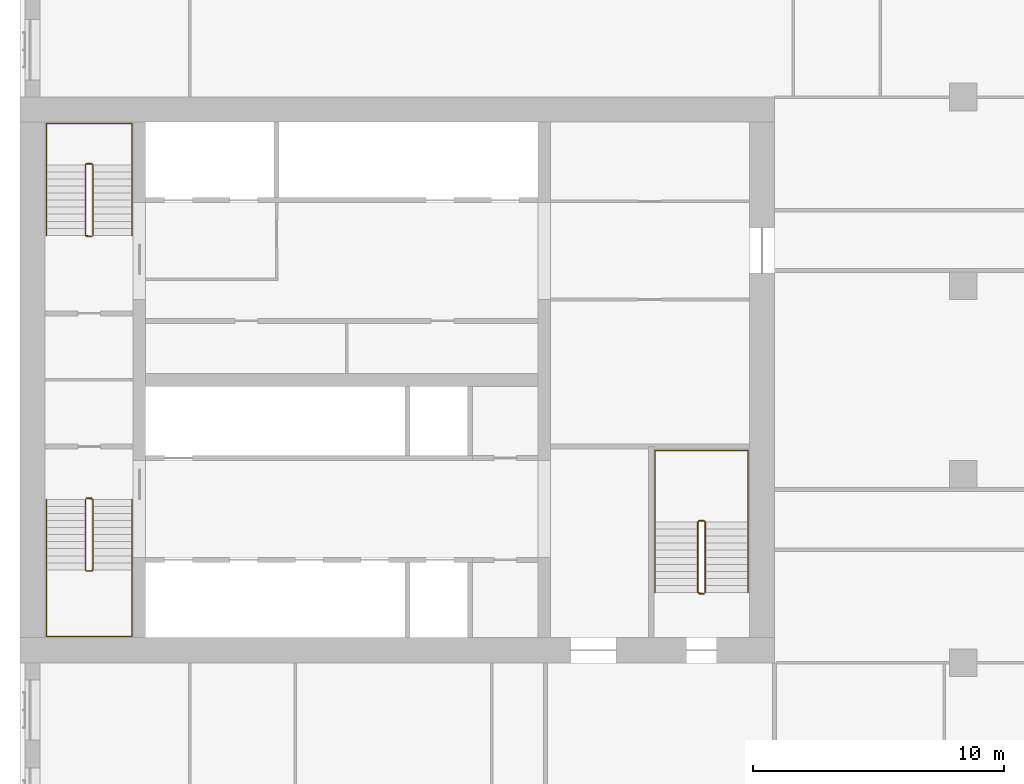
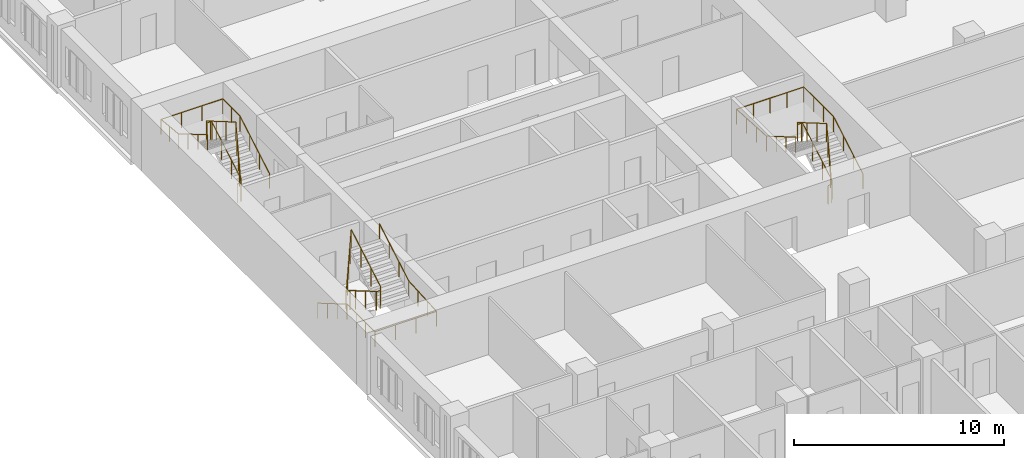
# One storey, part 14 of 14: 6 railings.
"""IFC4 building model written with IfcOpenShell, lengths in metres."""

from ifc_helpers import new_model, si_unit, direction, frame, origin, origin_2d, place, context, subcontext, project, spatial, circle, extrude, material, type_object, element, save


model = new_model("IFC4")

# Units and contexts
model_context = context("Model", 3, precision=1e-05, world=origin(), true_north=direction((0.0, 1.0)))
body_context = subcontext(model_context, "Body", "Model", "MODEL_VIEW")
ifc_project = project(units=[si_unit("LENGTHUNIT", "METRE"), si_unit("AREAUNIT", "SQUARE_METRE"), si_unit("VOLUMEUNIT", "CUBIC_METRE"), si_unit("PLANEANGLEUNIT", "RADIAN"), si_unit("MASSUNIT", "GRAM", prefix="KILO")], contexts=[model_context])

# Site, building, storey
site_placement = place(None, origin())
site = spatial("IfcSite", under=ifc_project, at=site_placement, CompositionType="ELEMENT")
building_placement = place(site_placement, origin())
building = spatial("IfcBuilding", under=site, at=building_placement, Name="Tamorin Gate", CompositionType="ELEMENT")
storey_placement = place(building_placement, frame((0.0, 0.0, 89.89990234375)))
storey = spatial("IfcBuildingStorey", under=building, at=storey_placement, Name="L21", CompositionType="ELEMENT", Elevation=89.89990234375)

# Railings
ifc_material_1 = material(Name="Painted steel balustrade", Category="steel")
railing_type_1 = type_object("IfcRailingType", Name="Stair guard 1100", PredefinedType="GUARDRAIL", material=ifc_material_1)
railing_1_placement = place(storey_placement, frame((32.60009765625, 66.5, 0.163818359375)))
element("IfcRailing", 1, at=railing_1_placement, inside=storey, type_object=railing_type_1, Name="L21 ST1 stair guard 1", PredefinedType="GUARDRAIL", context=body_context, shape_type="SweptSolid", body=[
    extrude(circle(Radius=0.02392578125, at=origin_2d()), frame((0.0, 0.0, 1.076171875), z_axis=(0.0, -0.863393664356, 0.504530851732), x_axis=(1.0, 0.0, 0.0)), (0.0, 0.0, 1.0), 3.2431640625),
    extrude(circle(Radius=0.02392578125, at=origin_2d()), frame((0.0, -2.800048828125, 2.71240234375), z_axis=(0.705375805398, -0.708833529934, 0.0), x_axis=(0.708833529934, 0.705375805398, 0.0)), (0.0, 0.0, 1.0), 0.070556640625),
    extrude(circle(Radius=0.02392578125, at=origin_2d()), frame((0.0498046875, -2.85009765625, 2.71240234375), z_axis=(1.0, 0.0, 0.0), x_axis=(0.0, 1.0, 0.0)), (0.0, 0.0, 1.0), 0.2001953125),
    extrude(circle(Radius=0.02392578125, at=origin_2d()), frame((0.25, -2.85009765625, 2.71240234375), z_axis=(0.279546231943, 0.280916556609, 0.91811752648), x_axis=(-0.708833529934, 0.705375805398, 0.0)), (0.0, 0.0, 1.0), 0.17822265625),
    extrude(circle(Radius=0.02392578125, at=origin_2d()), frame((0.2998046875, -2.800048828125, 2.8759765625), z_axis=(0.0, 0.863360870873, 0.504586966384), x_axis=(-1.0, 0.0, 0.0)), (0.0, 0.0, 1.0), 3.2431640625),
    extrude(circle(Radius=0.02392578125, at=origin_2d()), frame((0.2998046875, 0.0, 4.51220703125), z_axis=(-0.069269067181, 0.013867342551, -0.997501625634), x_axis=(-0.196300278283, -0.98054382908, 0.0)), (0.0, 0.0, 1.0), 3.609130859375),
    extrude(circle(Radius=0.02392578125, at=origin_2d()), frame((0.0498046875, 0.050048828125, 0.912109375), z_axis=(1.0, 0.0, 0.0), x_axis=(0.0, 1.0, 0.0)), (0.0, 0.0, 1.0), 0.2001953125),
    extrude(circle(Radius=0.02099609375, at=origin_2d()), origin(), (0.0, 0.0, 1.0), 1.052001953125),
    extrude(circle(Radius=0.02099609375, at=origin_2d()), frame((0.0, -0.933349609375, 0.54541015625)), (0.0, 0.0, 1.0), 1.052001953125),
    extrude(circle(Radius=0.02099609375, at=origin_2d()), frame((0.0, -1.86669921875, 1.0908203125)), (0.0, 0.0, 1.0), 1.052001953125),
    extrude(circle(Radius=0.02099609375, at=origin_2d()), frame((0.0, -2.800048828125, 1.63623046875)), (0.0, 0.0, 1.0), 1.052001953125),
    extrude(circle(Radius=0.02099609375, at=origin_2d()), frame((0.0498046875, -2.85009765625, 1.63623046875)), (0.0, 0.0, 1.0), 1.052001953125),
    extrude(circle(Radius=0.02099609375, at=origin_2d()), frame((0.25, -2.85009765625, 1.63623046875)), (0.0, 0.0, 1.0), 1.052001953125),
    extrude(circle(Radius=0.02099609375, at=origin_2d()), frame((0.2998046875, -2.800048828125, 1.7998046875)), (0.0, 0.0, 1.0), 1.052001953125),
    extrude(circle(Radius=0.02099609375, at=origin_2d()), frame((0.2998046875, -1.86669921875, 2.34521484375)), (0.0, 0.0, 1.0), 1.052001953125),
    extrude(circle(Radius=0.02099609375, at=origin_2d()), frame((0.2998046875, -0.933349609375, 2.890869140625)), (0.0, 0.0, 1.0), 1.052001953125),
    extrude(circle(Radius=0.02099609375, at=origin_2d()), frame((0.2998046875, 0.0, 3.436279296875)), (0.0, 0.0, 1.0), 1.052001953125),
    extrude(circle(Radius=0.02099609375, at=origin_2d()), frame((0.2373046875, 0.012451171875, 2.5361328125)), (0.0, 0.0, 1.0), 1.052001953125),
    extrude(circle(Radius=0.02099609375, at=origin_2d()), frame((0.1748046875, 0.02490234375, 1.63623046875)), (0.0, 0.0, 1.0), 1.052001953125),
    extrude(circle(Radius=0.02099609375, at=origin_2d()), frame((0.1123046875, 0.03759765625, 0.736328125)), (0.0, 0.0, 1.0), 1.052001953125),
    extrude(circle(Radius=0.02099609375, at=origin_2d()), frame((0.0498046875, 0.050048828125, -0.163818359375)), (0.0, 0.0, 1.0), 1.052001953125),
    extrude(circle(Radius=0.02099609375, at=origin_2d()), frame((0.25, 0.050048828125, -0.163818359375)), (0.0, 0.0, 1.0), 1.052001953125),
])
railing_2_placement = place(storey_placement, frame((32.89990234375, 77.0, 0.163818359375)))
element("IfcRailing", 2, at=railing_2_placement, inside=storey, type_object=railing_type_1, Name="L21 ST2 stair guard 1", PredefinedType="GUARDRAIL", context=body_context, shape_type="SweptSolid", body=[
    extrude(circle(Radius=0.02392578125, at=origin_2d()), frame((0.0, 0.0, 1.076171875), z_axis=(0.0, 0.863393664356, 0.504530851732), x_axis=(-1.0, 0.0, 0.0)), (0.0, 0.0, 1.0), 3.2431640625),
    extrude(circle(Radius=0.02392578125, at=origin_2d()), frame((0.0, 2.800048828125, 2.71240234375), z_axis=(-0.705375805398, 0.708833529934, 0.0), x_axis=(-0.708833529934, -0.705375805398, 0.0)), (0.0, 0.0, 1.0), 0.070556640625),
    extrude(circle(Radius=0.02392578125, at=origin_2d()), frame((-0.0498046875, 2.85009765625, 2.71240234375), z_axis=(-1.0, 0.0, 0.0), x_axis=(0.0, -1.0, 0.0)), (0.0, 0.0, 1.0), 0.2001953125),
    extrude(circle(Radius=0.02392578125, at=origin_2d()), frame((-0.25, 2.85009765625, 2.71240234375), z_axis=(-0.279546231943, -0.280916556609, 0.91811752648), x_axis=(0.708833529934, -0.705375805398, 0.0)), (0.0, 0.0, 1.0), 0.17822265625),
    extrude(circle(Radius=0.02392578125, at=origin_2d()), frame((-0.2998046875, 2.800048828125, 2.8759765625), z_axis=(0.0, -0.863360870873, 0.504586966384), x_axis=(1.0, 0.0, 0.0)), (0.0, 0.0, 1.0), 3.2431640625),
    extrude(circle(Radius=0.02392578125, at=origin_2d()), frame((-0.2998046875, 0.0, 4.51220703125), z_axis=(0.069269067181, -0.013867342551, -0.997501625634), x_axis=(0.196300278283, 0.98054382908, 0.0)), (0.0, 0.0, 1.0), 3.609130859375),
    extrude(circle(Radius=0.02392578125, at=origin_2d()), frame((-0.0498046875, -0.050048828125, 0.912109375), z_axis=(-1.0, 0.0, 0.0), x_axis=(0.0, -1.0, 0.0)), (0.0, 0.0, 1.0), 0.2001953125),
    extrude(circle(Radius=0.02099609375, at=origin_2d()), origin(), (0.0, 0.0, 1.0), 1.052001953125),
    extrude(circle(Radius=0.02099609375, at=origin_2d()), frame((0.0, 0.933349609375, 0.54541015625)), (0.0, 0.0, 1.0), 1.052001953125),
    extrude(circle(Radius=0.02099609375, at=origin_2d()), frame((0.0, 1.86669921875, 1.0908203125)), (0.0, 0.0, 1.0), 1.052001953125),
    extrude(circle(Radius=0.02099609375, at=origin_2d()), frame((0.0, 2.800048828125, 1.63623046875)), (0.0, 0.0, 1.0), 1.052001953125),
    extrude(circle(Radius=0.02099609375, at=origin_2d()), frame((-0.0498046875, 2.85009765625, 1.63623046875)), (0.0, 0.0, 1.0), 1.052001953125),
    extrude(circle(Radius=0.02099609375, at=origin_2d()), frame((-0.25, 2.85009765625, 1.63623046875)), (0.0, 0.0, 1.0), 1.052001953125),
    extrude(circle(Radius=0.02099609375, at=origin_2d()), frame((-0.2998046875, 2.800048828125, 1.7998046875)), (0.0, 0.0, 1.0), 1.052001953125),
    extrude(circle(Radius=0.02099609375, at=origin_2d()), frame((-0.2998046875, 1.86669921875, 2.34521484375)), (0.0, 0.0, 1.0), 1.052001953125),
    extrude(circle(Radius=0.02099609375, at=origin_2d()), frame((-0.2998046875, 0.933349609375, 2.890869140625)), (0.0, 0.0, 1.0), 1.052001953125),
    extrude(circle(Radius=0.02099609375, at=origin_2d()), frame((-0.2998046875, 0.0, 3.436279296875)), (0.0, 0.0, 1.0), 1.052001953125),
    extrude(circle(Radius=0.02099609375, at=origin_2d()), frame((-0.2373046875, -0.012451171875, 2.5361328125)), (0.0, 0.0, 1.0), 1.052001953125),
    extrude(circle(Radius=0.02099609375, at=origin_2d()), frame((-0.1748046875, -0.02490234375, 1.63623046875)), (0.0, 0.0, 1.0), 1.052001953125),
    extrude(circle(Radius=0.02099609375, at=origin_2d()), frame((-0.1123046875, -0.03759765625, 0.736328125)), (0.0, 0.0, 1.0), 1.052001953125),
    extrude(circle(Radius=0.02099609375, at=origin_2d()), frame((-0.0498046875, -0.050048828125, -0.163818359375)), (0.0, 0.0, 1.0), 1.052001953125),
    extrude(circle(Radius=0.02099609375, at=origin_2d()), frame((-0.25, -0.050048828125, -0.163818359375)), (0.0, 0.0, 1.0), 1.052001953125),
])
railing_3_placement = place(storey_placement, frame((57.25, 62.800048828125, 0.163818359375)))
element("IfcRailing", 3, at=railing_3_placement, inside=storey, type_object=railing_type_1, Name="L21 ST3 stair guard 1", PredefinedType="GUARDRAIL", context=body_context, shape_type="SweptSolid", body=[
    extrude(circle(Radius=0.02392578125, at=origin_2d()), frame((0.0, 0.0, 1.076171875), z_axis=(0.0, 0.863393664356, 0.504530851732), x_axis=(-1.0, 0.0, 0.0)), (0.0, 0.0, 1.0), 3.2431640625),
    extrude(circle(Radius=0.02392578125, at=origin_2d()), frame((0.0, 2.800048828125, 2.71240234375), z_axis=(-0.708833529934, 0.705375805398, 0.0), x_axis=(-0.705375805398, -0.708833529934, 0.0)), (0.0, 0.0, 1.0), 0.070556640625),
    extrude(circle(Radius=0.02392578125, at=origin_2d()), frame((-0.050048828125, 2.849853515625, 2.71240234375), z_axis=(-1.0, 0.0, 0.0), x_axis=(0.0, -1.0, 0.0)), (0.0, 0.0, 1.0), 0.199951171875),
    extrude(circle(Radius=0.02392578125, at=origin_2d()), frame((-0.25, 2.849853515625, 2.71240234375), z_axis=(-0.280916556609, -0.279546231943, 0.91811752648), x_axis=(0.705375805398, -0.708833529934, 0.0)), (0.0, 0.0, 1.0), 0.17822265625),
    extrude(circle(Radius=0.02392578125, at=origin_2d()), frame((-0.300048828125, 2.800048828125, 2.8759765625), z_axis=(0.0, -0.863360870873, 0.504586966384), x_axis=(1.0, 0.0, 0.0)), (0.0, 0.0, 1.0), 3.2431640625),
    extrude(circle(Radius=0.02392578125, at=origin_2d()), frame((-0.300048828125, 0.0, 4.51220703125), z_axis=(0.069269067181, -0.013867342551, -0.997501625634), x_axis=(0.196300278283, 0.98054382908, 0.0)), (0.0, 0.0, 1.0), 3.609130859375),
    extrude(circle(Radius=0.02392578125, at=origin_2d()), frame((-0.050048828125, -0.050048828125, 0.912109375), z_axis=(-1.0, 0.0, 0.0), x_axis=(0.0, -1.0, 0.0)), (0.0, 0.0, 1.0), 0.199951171875),
    extrude(circle(Radius=0.02099609375, at=origin_2d()), origin(), (0.0, 0.0, 1.0), 1.052001953125),
    extrude(circle(Radius=0.02099609375, at=origin_2d()), frame((0.0, 0.933349609375, 0.54541015625)), (0.0, 0.0, 1.0), 1.052001953125),
    extrude(circle(Radius=0.02099609375, at=origin_2d()), frame((0.0, 1.86669921875, 1.0908203125)), (0.0, 0.0, 1.0), 1.052001953125),
    extrude(circle(Radius=0.02099609375, at=origin_2d()), frame((0.0, 2.800048828125, 1.63623046875)), (0.0, 0.0, 1.0), 1.052001953125),
    extrude(circle(Radius=0.02099609375, at=origin_2d()), frame((-0.050048828125, 2.849853515625, 1.63623046875)), (0.0, 0.0, 1.0), 1.052001953125),
    extrude(circle(Radius=0.02099609375, at=origin_2d()), frame((-0.25, 2.849853515625, 1.63623046875)), (0.0, 0.0, 1.0), 1.052001953125),
    extrude(circle(Radius=0.02099609375, at=origin_2d()), frame((-0.300048828125, 2.800048828125, 1.7998046875)), (0.0, 0.0, 1.0), 1.052001953125),
    extrude(circle(Radius=0.02099609375, at=origin_2d()), frame((-0.300048828125, 1.86669921875, 2.34521484375)), (0.0, 0.0, 1.0), 1.052001953125),
    extrude(circle(Radius=0.02099609375, at=origin_2d()), frame((-0.300048828125, 0.933349609375, 2.890869140625)), (0.0, 0.0, 1.0), 1.052001953125),
    extrude(circle(Radius=0.02099609375, at=origin_2d()), frame((-0.300048828125, 0.0, 3.436279296875)), (0.0, 0.0, 1.0), 1.052001953125),
    extrude(circle(Radius=0.02099609375, at=origin_2d()), frame((-0.237548828125, -0.012451171875, 2.5361328125)), (0.0, 0.0, 1.0), 1.052001953125),
    extrude(circle(Radius=0.02099609375, at=origin_2d()), frame((-0.175048828125, -0.02490234375, 1.63623046875)), (0.0, 0.0, 1.0), 1.052001953125),
    extrude(circle(Radius=0.02099609375, at=origin_2d()), frame((-0.112548828125, -0.03759765625, 0.736328125)), (0.0, 0.0, 1.0), 1.052001953125),
    extrude(circle(Radius=0.02099609375, at=origin_2d()), frame((-0.050048828125, -0.050048828125, -0.163818359375)), (0.0, 0.0, 1.0), 1.052001953125),
    extrude(circle(Radius=0.02099609375, at=origin_2d()), frame((-0.25, -0.050048828125, -0.163818359375)), (0.0, 0.0, 1.0), 1.052001953125),
])
ifc_material_2 = material(Name="Painted steel handrail", Category="steel")
railing_type_2 = type_object("IfcRailingType", Name="Stair handrail 900", PredefinedType="HANDRAIL", material=ifc_material_2)
railing_4_placement = place(storey_placement, frame((31.050048828125, 66.5, 0.163818359375)))
element("IfcRailing", 4, at=railing_4_placement, inside=storey, type_object=railing_type_2, Name="L21 ST1 stair handrail 1", PredefinedType="HANDRAIL", context=body_context, shape_type="SweptSolid", body=[
    extrude(circle(Radius=0.02392578125, at=origin_2d()), frame((0.0, 0.0, 0.8759765625), z_axis=(0.0, -0.863393664356, 0.504530851732), x_axis=(1.0, 0.0, 0.0)), (0.0, 0.0, 1.0), 3.2431640625),
    extrude(circle(Radius=0.02392578125, at=origin_2d()), frame((0.0, -2.800048828125, 2.51220703125), z_axis=(0.0, -1.0, 0.0), x_axis=(1.0, 0.0, 0.0)), (0.0, 0.0, 1.0), 2.64990234375),
    extrude(circle(Radius=0.02392578125, at=origin_2d()), frame((0.0, -5.449951171875, 2.51220703125), z_axis=(1.0, 0.0, 0.0), x_axis=(0.0, 1.0, 0.0)), (0.0, 0.0, 1.0), 3.39990234375),
    extrude(circle(Radius=0.02392578125, at=origin_2d()), frame((3.39990234375, -5.449951171875, 2.51220703125), z_axis=(0.0, 0.998100230056, 0.061611125312), x_axis=(-1.0, 0.0, 0.0)), (0.0, 0.0, 1.0), 2.655029296875),
    extrude(circle(Radius=0.02392578125, at=origin_2d()), frame((3.39990234375, -2.800048828125, 2.67578125), z_axis=(0.0, 0.863360870873, 0.504586966384), x_axis=(-1.0, 0.0, 0.0)), (0.0, 0.0, 1.0), 3.2431640625),
    extrude(circle(Radius=0.02099609375, at=origin_2d()), origin(), (0.0, 0.0, 1.0), 0.851806640625),
    extrude(circle(Radius=0.02099609375, at=origin_2d()), frame((0.0, -0.933349609375, 0.54541015625)), (0.0, 0.0, 1.0), 0.851806640625),
    extrude(circle(Radius=0.02099609375, at=origin_2d()), frame((0.0, -1.86669921875, 1.0908203125)), (0.0, 0.0, 1.0), 0.851806640625),
    extrude(circle(Radius=0.02099609375, at=origin_2d()), frame((0.0, -2.800048828125, 1.63623046875)), (0.0, 0.0, 1.0), 0.851806640625),
    extrude(circle(Radius=0.02099609375, at=origin_2d()), frame((0.0, -3.683349609375, 1.63623046875)), (0.0, 0.0, 1.0), 0.851806640625),
    extrude(circle(Radius=0.02099609375, at=origin_2d()), frame((0.0, -4.566650390625, 1.63623046875)), (0.0, 0.0, 1.0), 0.851806640625),
    extrude(circle(Radius=0.02099609375, at=origin_2d()), frame((0.0, -5.449951171875, 1.63623046875)), (0.0, 0.0, 1.0), 0.851806640625),
    extrude(circle(Radius=0.02099609375, at=origin_2d()), frame((1.13330078125, -5.449951171875, 1.63623046875)), (0.0, 0.0, 1.0), 0.851806640625),
    extrude(circle(Radius=0.02099609375, at=origin_2d()), frame((2.2666015625, -5.449951171875, 1.63623046875)), (0.0, 0.0, 1.0), 0.851806640625),
    extrude(circle(Radius=0.02099609375, at=origin_2d()), frame((3.39990234375, -5.449951171875, 1.63623046875)), (0.0, 0.0, 1.0), 0.851806640625),
    extrude(circle(Radius=0.02099609375, at=origin_2d()), frame((3.39990234375, -4.566650390625, 1.690673828125)), (0.0, 0.0, 1.0), 0.851806640625),
    extrude(circle(Radius=0.02099609375, at=origin_2d()), frame((3.39990234375, -3.683349609375, 1.745361328125)), (0.0, 0.0, 1.0), 0.851806640625),
    extrude(circle(Radius=0.02099609375, at=origin_2d()), frame((3.39990234375, -2.800048828125, 1.7998046875)), (0.0, 0.0, 1.0), 0.851806640625),
    extrude(circle(Radius=0.02099609375, at=origin_2d()), frame((3.39990234375, -1.86669921875, 2.34521484375)), (0.0, 0.0, 1.0), 0.851806640625),
    extrude(circle(Radius=0.02099609375, at=origin_2d()), frame((3.39990234375, -0.933349609375, 2.890869140625)), (0.0, 0.0, 1.0), 0.851806640625),
    extrude(circle(Radius=0.02099609375, at=origin_2d()), frame((3.39990234375, 0.0, 3.436279296875)), (0.0, 0.0, 1.0), 0.851806640625),
])
railing_5_placement = place(storey_placement, frame((34.449951171875, 77.0, 0.163818359375)))
element("IfcRailing", 5, at=railing_5_placement, inside=storey, type_object=railing_type_2, Name="L21 ST2 stair handrail 1", PredefinedType="HANDRAIL", context=body_context, shape_type="SweptSolid", body=[
    extrude(circle(Radius=0.02392578125, at=origin_2d()), frame((0.0, 0.0, 0.8759765625), z_axis=(0.0, 0.863393664356, 0.504530851732), x_axis=(-1.0, 0.0, 0.0)), (0.0, 0.0, 1.0), 3.2431640625),
    extrude(circle(Radius=0.02392578125, at=origin_2d()), frame((0.0, 2.800048828125, 2.51220703125), z_axis=(0.0, 1.0, 0.0), x_axis=(-1.0, 0.0, 0.0)), (0.0, 0.0, 1.0), 1.64990234375),
    extrude(circle(Radius=0.02392578125, at=origin_2d()), frame((0.0, 4.449951171875, 2.51220703125), z_axis=(-1.0, 0.0, 0.0), x_axis=(0.0, -1.0, 0.0)), (0.0, 0.0, 1.0), 3.39990234375),
    extrude(circle(Radius=0.02392578125, at=origin_2d()), frame((-3.39990234375, 4.449951171875, 2.51220703125), z_axis=(0.0, -0.995121390814, 0.098658084026), x_axis=(1.0, 0.0, 0.0)), (0.0, 0.0, 1.0), 1.657958984375),
    extrude(circle(Radius=0.02392578125, at=origin_2d()), frame((-3.39990234375, 2.800048828125, 2.67578125), z_axis=(0.0, -0.863360870873, 0.504586966384), x_axis=(1.0, 0.0, 0.0)), (0.0, 0.0, 1.0), 3.2431640625),
    extrude(circle(Radius=0.02099609375, at=origin_2d()), origin(), (0.0, 0.0, 1.0), 0.851806640625),
    extrude(circle(Radius=0.02099609375, at=origin_2d()), frame((0.0, 0.933349609375, 0.54541015625)), (0.0, 0.0, 1.0), 0.851806640625),
    extrude(circle(Radius=0.02099609375, at=origin_2d()), frame((0.0, 1.86669921875, 1.0908203125)), (0.0, 0.0, 1.0), 0.851806640625),
    extrude(circle(Radius=0.02099609375, at=origin_2d()), frame((0.0, 2.800048828125, 1.63623046875)), (0.0, 0.0, 1.0), 0.851806640625),
    extrude(circle(Radius=0.02099609375, at=origin_2d()), frame((0.0, 3.625, 1.63623046875)), (0.0, 0.0, 1.0), 0.851806640625),
    extrude(circle(Radius=0.02099609375, at=origin_2d()), frame((0.0, 4.449951171875, 1.63623046875)), (0.0, 0.0, 1.0), 0.851806640625),
    extrude(circle(Radius=0.02099609375, at=origin_2d()), frame((-1.13330078125, 4.449951171875, 1.63623046875)), (0.0, 0.0, 1.0), 0.851806640625),
    extrude(circle(Radius=0.02099609375, at=origin_2d()), frame((-2.2666015625, 4.449951171875, 1.63623046875)), (0.0, 0.0, 1.0), 0.851806640625),
    extrude(circle(Radius=0.02099609375, at=origin_2d()), frame((-3.39990234375, 4.449951171875, 1.63623046875)), (0.0, 0.0, 1.0), 0.851806640625),
    extrude(circle(Radius=0.02099609375, at=origin_2d()), frame((-3.39990234375, 3.625, 1.718017578125)), (0.0, 0.0, 1.0), 0.851806640625),
    extrude(circle(Radius=0.02099609375, at=origin_2d()), frame((-3.39990234375, 2.800048828125, 1.7998046875)), (0.0, 0.0, 1.0), 0.851806640625),
    extrude(circle(Radius=0.02099609375, at=origin_2d()), frame((-3.39990234375, 1.86669921875, 2.34521484375)), (0.0, 0.0, 1.0), 0.851806640625),
    extrude(circle(Radius=0.02099609375, at=origin_2d()), frame((-3.39990234375, 0.933349609375, 2.890869140625)), (0.0, 0.0, 1.0), 0.851806640625),
    extrude(circle(Radius=0.02099609375, at=origin_2d()), frame((-3.39990234375, 0.0, 3.436279296875)), (0.0, 0.0, 1.0), 0.851806640625),
])
railing_6_placement = place(storey_placement, frame((58.949951171875, 62.800048828125, 0.163818359375)))
element("IfcRailing", 6, at=railing_6_placement, inside=storey, type_object=railing_type_2, Name="L21 ST3 stair handrail 1", PredefinedType="HANDRAIL", context=body_context, shape_type="SweptSolid", body=[
    extrude(circle(Radius=0.02392578125, at=origin_2d()), frame((0.0, 0.0, 0.8759765625), z_axis=(0.0, 0.863393664356, 0.504530851732), x_axis=(-1.0, 0.0, 0.0)), (0.0, 0.0, 1.0), 3.2431640625),
    extrude(circle(Radius=0.02392578125, at=origin_2d()), frame((0.0, 2.800048828125, 2.51220703125), z_axis=(0.0, 1.0, 0.0), x_axis=(-1.0, 0.0, 0.0)), (0.0, 0.0, 1.0), 2.849853515625),
    extrude(circle(Radius=0.02392578125, at=origin_2d()), frame((0.0, 5.64990234375, 2.51220703125), z_axis=(-1.0, 0.0, 0.0), x_axis=(0.0, -1.0, 0.0)), (0.0, 0.0, 1.0), 3.699951171875),
    extrude(circle(Radius=0.02392578125, at=origin_2d()), frame((-3.699951171875, 5.64990234375, 2.51220703125), z_axis=(0.0, -0.998356827416, 0.057303098978), x_axis=(1.0, 0.0, 0.0)), (0.0, 0.0, 1.0), 2.8544921875),
    extrude(circle(Radius=0.02392578125, at=origin_2d()), frame((-3.699951171875, 2.800048828125, 2.67578125), z_axis=(0.0, -0.863360870873, 0.504586966384), x_axis=(1.0, 0.0, 0.0)), (0.0, 0.0, 1.0), 3.2431640625),
    extrude(circle(Radius=0.02099609375, at=origin_2d()), origin(), (0.0, 0.0, 1.0), 0.851806640625),
    extrude(circle(Radius=0.02099609375, at=origin_2d()), frame((0.0, 0.933349609375, 0.54541015625)), (0.0, 0.0, 1.0), 0.851806640625),
    extrude(circle(Radius=0.02099609375, at=origin_2d()), frame((0.0, 1.86669921875, 1.0908203125)), (0.0, 0.0, 1.0), 0.851806640625),
    extrude(circle(Radius=0.02099609375, at=origin_2d()), frame((0.0, 2.800048828125, 1.63623046875)), (0.0, 0.0, 1.0), 0.851806640625),
    extrude(circle(Radius=0.02099609375, at=origin_2d()), frame((0.0, 3.75, 1.63623046875)), (0.0, 0.0, 1.0), 0.851806640625),
    extrude(circle(Radius=0.02099609375, at=origin_2d()), frame((0.0, 4.699951171875, 1.63623046875)), (0.0, 0.0, 1.0), 0.851806640625),
    extrude(circle(Radius=0.02099609375, at=origin_2d()), frame((0.0, 5.64990234375, 1.63623046875)), (0.0, 0.0, 1.0), 0.851806640625),
    extrude(circle(Radius=0.02099609375, at=origin_2d()), frame((-0.925048828125, 5.64990234375, 1.63623046875)), (0.0, 0.0, 1.0), 0.851806640625),
    extrude(circle(Radius=0.02099609375, at=origin_2d()), frame((-1.85009765625, 5.64990234375, 1.63623046875)), (0.0, 0.0, 1.0), 0.851806640625),
    extrude(circle(Radius=0.02099609375, at=origin_2d()), frame((-2.77490234375, 5.64990234375, 1.63623046875)), (0.0, 0.0, 1.0), 0.851806640625),
    extrude(circle(Radius=0.02099609375, at=origin_2d()), frame((-3.699951171875, 5.64990234375, 1.63623046875)), (0.0, 0.0, 1.0), 0.851806640625),
    extrude(circle(Radius=0.02099609375, at=origin_2d()), frame((-3.699951171875, 4.699951171875, 1.690673828125)), (0.0, 0.0, 1.0), 0.851806640625),
    extrude(circle(Radius=0.02099609375, at=origin_2d()), frame((-3.699951171875, 3.75, 1.745361328125)), (0.0, 0.0, 1.0), 0.851806640625),
    extrude(circle(Radius=0.02099609375, at=origin_2d()), frame((-3.699951171875, 2.800048828125, 1.7998046875)), (0.0, 0.0, 1.0), 0.851806640625),
    extrude(circle(Radius=0.02099609375, at=origin_2d()), frame((-3.699951171875, 1.86669921875, 2.34521484375)), (0.0, 0.0, 1.0), 0.851806640625),
    extrude(circle(Radius=0.02099609375, at=origin_2d()), frame((-3.699951171875, 0.933349609375, 2.890869140625)), (0.0, 0.0, 1.0), 0.851806640625),
    extrude(circle(Radius=0.02099609375, at=origin_2d()), frame((-3.699951171875, 0.0, 3.436279296875)), (0.0, 0.0, 1.0), 0.851806640625),
])

save(model, "model.ifc")
